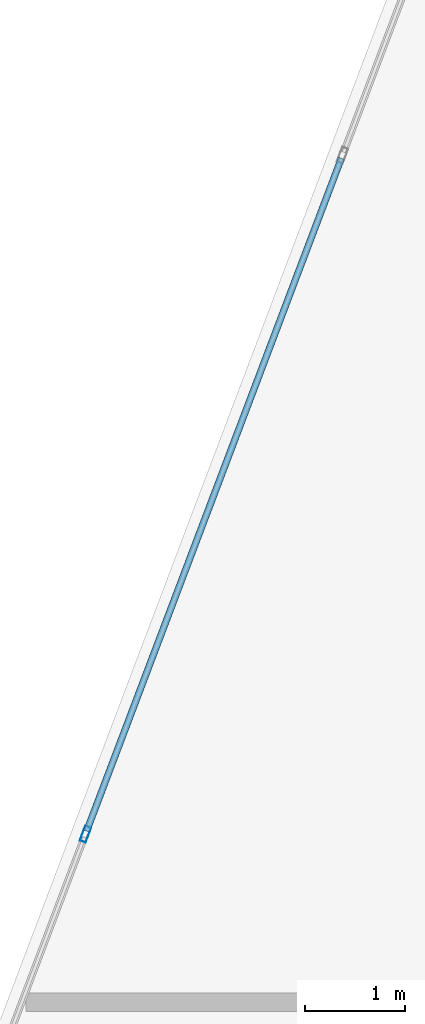
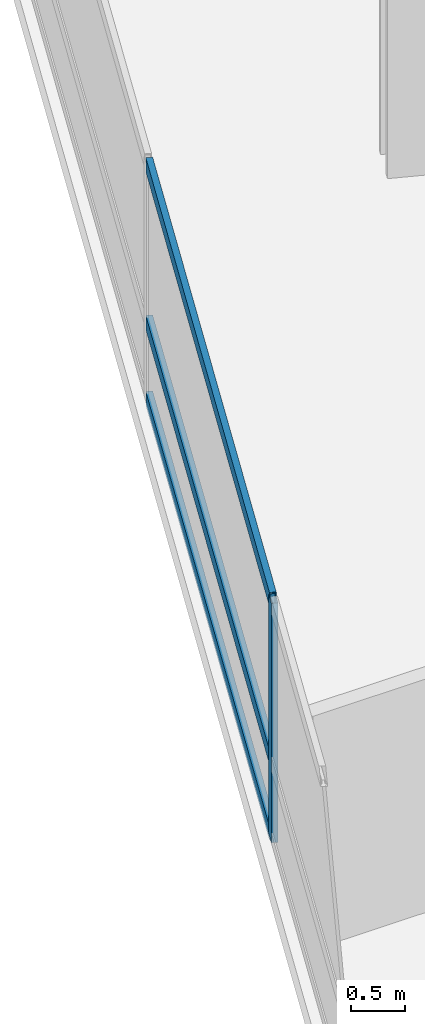
# One storey, part 4 of 25: 4 members, 1 element without a shape of its own.
"""IFC4 building model written with IfcOpenShell, lengths in metres."""

from ifc_helpers import new_model, si_unit, direction, frame, origin, origin_2d, place, context, subcontext, project, spatial, hollow_rectangle, extrude, material, layer, layer_set, material_profile, profile_set, type_object, element, aggregate, save


model = new_model("IFC4")

# Units and contexts
model_context = context("Model", 3, precision=1e-05, world=origin(), true_north=direction((0.0, 1.0)))
body_context = subcontext(model_context, "Body", "Model", "MODEL_VIEW")
ifc_project = project(units=[si_unit("LENGTHUNIT", "METRE"), si_unit("AREAUNIT", "SQUARE_METRE"), si_unit("VOLUMEUNIT", "CUBIC_METRE"), si_unit("PLANEANGLEUNIT", "RADIAN"), si_unit("MASSUNIT", "GRAM", prefix="KILO")], contexts=[model_context])

# Site, building, storey
site_placement = place(None, origin())
site = spatial("IfcSite", under=ifc_project, at=site_placement, CompositionType="ELEMENT")
building_placement = place(site_placement, origin())
building = spatial("IfcBuilding", under=site, at=building_placement, Name="Varnelok Gate Tower", CompositionType="ELEMENT")
storey_placement = place(building_placement, frame((0.0, 0.0, 79.89990234375)))
storey = spatial("IfcBuildingStorey", under=building, at=storey_placement, Name="L19", CompositionType="ELEMENT", Elevation=79.89990234375)

# Curtain wall, members
ifc_material = material(Name="Anodized Aluminum Alloy 6063-T6", Category="aluminium")
ifc_layer = layer(ifc_material, 0.179931640625)
ifc_layer_set = layer_set([ifc_layer], Name="Anodized Aluminum Alloy 6063-T6")
curtain_wall_type = type_object("IfcCurtainWallType", Name="CW3-HOTEL-VISION", PredefinedType="USERDEFINED", material=ifc_layer_set)
curtain_wall_placement = place(storey_placement, origin())
curtain_wall = element("IfcCurtainWall", 1, at=curtain_wall_placement, inside=storey, type_object=curtain_wall_type, Name="L19 West End Vision Curtain Wall", ObjectType="UNITISED CURTAIN WALL", PredefinedType="USERDEFINED")
ifc_material_profile_1 = material_profile(ifc_material, hollow_rectangle(XDim=0.06494140625, YDim=0.159912109375, WallThickness=0.00390625, at=origin_2d()), Name="ALU160X65X4")
ifc_profile_set_1 = profile_set([ifc_material_profile_1], Name="Anodized Aluminum Alloy 6063-T6")
member_type_1 = type_object("IfcMemberType", Name="CW-MULL-160", PredefinedType="MULLION", material=ifc_profile_set_1)
member_1_placement = place(storey_placement, frame((0.508544921875, 28.3359375, 0.0), z_axis=(0.0, 0.0, 1.0), x_axis=(-0.935221323688, 0.354063660545, 0.0)))
member_1 = element("IfcMember", 2, at=member_1_placement, type_object=member_type_1, Name="CW3 mullion 2", PredefinedType="MULLION", context=body_context, shape_type="SweptSolid", body=[
    extrude(hollow_rectangle(XDim=0.06494140625, YDim=0.159912109375, WallThickness=0.00390625, at=origin_2d()), origin(), (0.0, 0.0, 1.0), 2.72998046875),
])
ifc_material_profile_2 = material_profile(ifc_material, hollow_rectangle(XDim=0.06494140625, YDim=0.159912109375, WallThickness=0.00390625, at=origin_2d()), Name="ALU160X65X4")
ifc_profile_set_2 = profile_set([ifc_material_profile_2], Name="Anodized Aluminum Alloy 6063-T6")
member_type_2 = type_object("IfcMemberType", Name="CW-TRAN-160", PredefinedType="USERDEFINED", material=ifc_profile_set_2)
member_2_placement = place(storey_placement, frame((0.52001953125, 28.3662109375, 0.03271484375), z_axis=(0.354078724634, 0.935215620465, 0.0), x_axis=(-0.935215620465, 0.354078724634, 0.0)))
member_2 = element("IfcMember", 3, at=member_2_placement, type_object=member_type_2, Name="CW3 transom 2.1", ObjectType="TRANSOM", PredefinedType="USERDEFINED", context=body_context, shape_type="SweptSolid", body=[
    extrude(hollow_rectangle(XDim=0.06494140625, YDim=0.159912109375, WallThickness=0.00390625, at=origin_2d()), origin(), (0.0, 0.0, 1.0), 7.175048828125),
])
member_3_placement = place(storey_placement, frame((0.52001953125, 28.3662109375, 0.900146484375), z_axis=(0.354078724634, 0.935215620465, 0.0), x_axis=(-0.935215620465, 0.354078724634, 0.0)))
member_3 = element("IfcMember", 4, at=member_3_placement, type_object=member_type_2, Name="CW3 transom 2.2", ObjectType="TRANSOM", PredefinedType="USERDEFINED", context=body_context, shape_type="SweptSolid", body=[
    extrude(hollow_rectangle(XDim=0.06494140625, YDim=0.159912109375, WallThickness=0.00390625, at=origin_2d()), origin(), (0.0, 0.0, 1.0), 7.175048828125),
])
member_4_placement = place(storey_placement, frame((0.52001953125, 28.3662109375, 2.697509765625), z_axis=(0.354078724634, 0.935215620465, 0.0), x_axis=(-0.935215620465, 0.354078724634, 0.0)))
member_4 = element("IfcMember", 5, at=member_4_placement, type_object=member_type_2, Name="CW3 transom 2.3", ObjectType="TRANSOM", PredefinedType="USERDEFINED", context=body_context, shape_type="SweptSolid", body=[
    extrude(hollow_rectangle(XDim=0.06494140625, YDim=0.159912109375, WallThickness=0.00390625, at=origin_2d()), origin(), (0.0, 0.0, 1.0), 7.175048828125),
])
aggregate(curtain_wall, [member_1, member_2, member_3, member_4])

save(model, "model.ifc")
